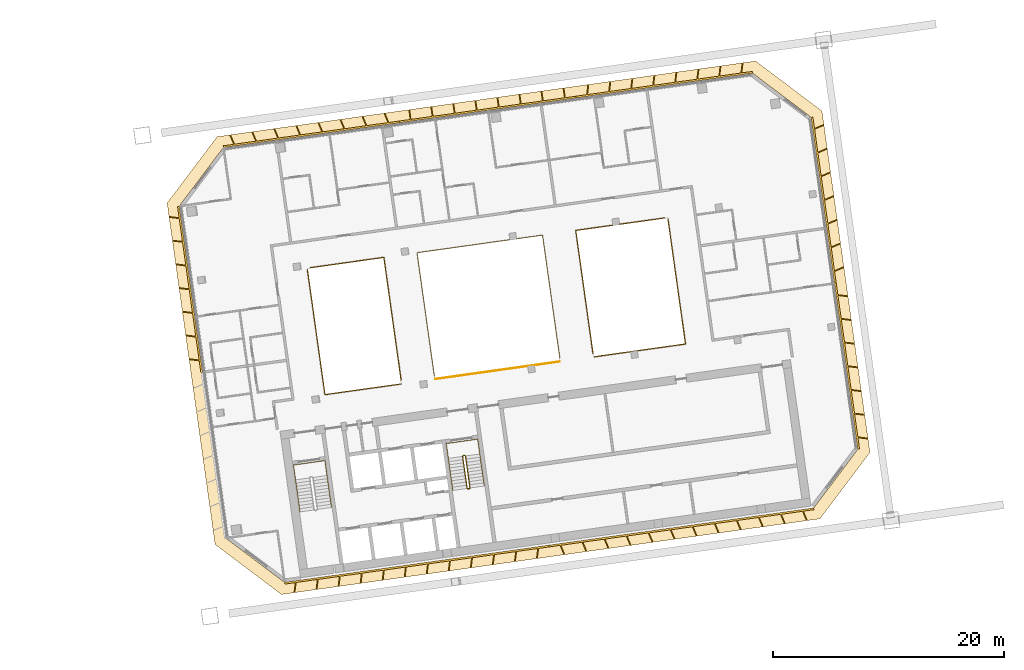
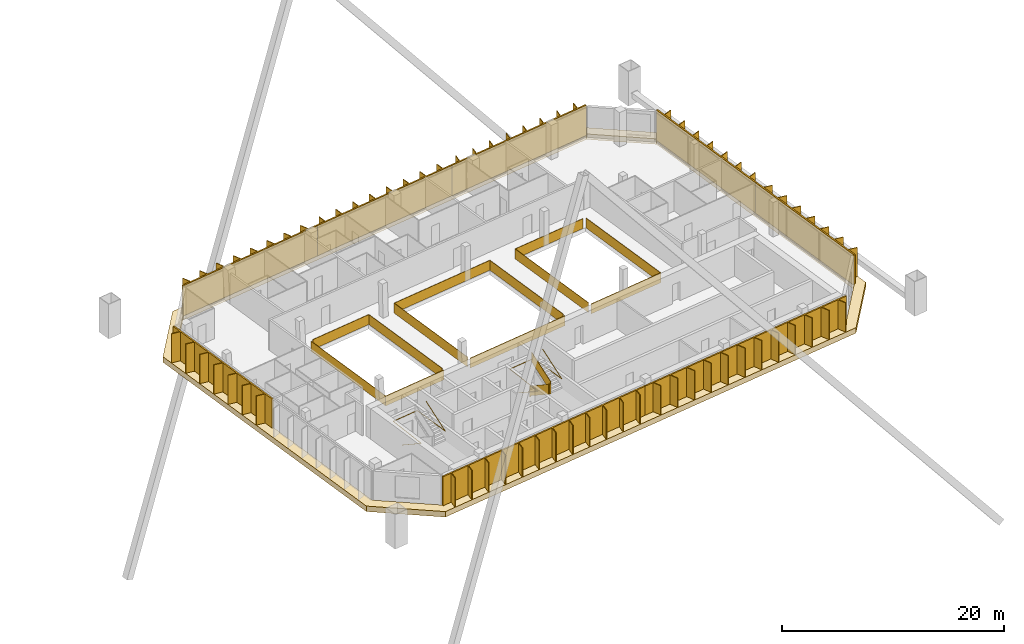
# One storey, part 38 of 38: 9 railings, 8 shading devices, 1 covering.
"""IFC4 building model written with IfcOpenShell, lengths in metres."""

from ifc_helpers import new_model, si_unit, direction, frame, origin, origin_2d, place, context, subcontext, project, spatial, polyline, rectangle, outline, extrude, material, layer, layer_set, type_object, element, save


model = new_model("IFC4")

# Units and contexts
model_context = context("Model", 3, precision=1e-05, world=origin(), true_north=direction((0.0, 1.0)))
body_context = subcontext(model_context, "Body", "Model", "MODEL_VIEW")
ifc_project = project(units=[si_unit("LENGTHUNIT", "METRE"), si_unit("AREAUNIT", "SQUARE_METRE"), si_unit("VOLUMEUNIT", "CUBIC_METRE"), si_unit("PLANEANGLEUNIT", "RADIAN"), si_unit("MASSUNIT", "GRAM", prefix="KILO")], contexts=[model_context])

# Site, building, storey
site_placement = place(None, origin())
site = spatial("IfcSite", under=ifc_project, at=site_placement, CompositionType="ELEMENT")
building_placement = place(site_placement, origin())
building = spatial("IfcBuilding", under=site, at=building_placement, Name="Mirante Cascada Hotel Towers", CompositionType="ELEMENT")
storey_placement = place(building_placement, frame((0.0, 0.0, 184.0)))
storey = spatial("IfcBuildingStorey", under=building, at=storey_placement, Name="L43", CompositionType="ELEMENT", Elevation=184.0)

# Railings
ifc_material_1 = material(Name="Toughened glass with stainless steel handrail", Category="steel")
railing_type_1 = type_object("IfcRailingType", Name="Atrium guard 1100 glass balustrade", PredefinedType="GUARDRAIL", material=ifc_material_1)
railing_1_placement = place(storey_placement, frame((37.864, 6.7125, 0.0)))
element("IfcRailing", 1, at=railing_1_placement, inside=storey, type_object=railing_type_1, Name="GUARD 2-L43-1", PredefinedType="GUARDRAIL", context=body_context, shape_type="SweptSolid", body=[
    extrude(rectangle(XDim=0.048, YDim=0.048, at=origin_2d()), frame((0.0, 0.0, 1.076), z_axis=(0.1391712, -0.9902683, 0.0), x_axis=(0.9902683, 0.1391712, 0.0)), (0.0, 0.0, 1.0), 10.9333),
    extrude(rectangle(XDim=0.02, YDim=1.052, at=origin_2d()), frame((0.0, 0.0, 0.526), z_axis=(0.1391712, -0.9902683, 0.0), x_axis=(0.9902683, 0.1391712, 0.0)), (0.0, 0.0, 1.0), 10.9333),
    extrude(rectangle(XDim=0.048, YDim=0.048, at=origin_2d()), frame((1.5216, -10.8269, 1.076), z_axis=(0.9902663, 0.1391859, 0.0), x_axis=(-0.1391859, 0.9902663, 0.0)), (0.0, 0.0, 1.0), 6.6458),
    extrude(rectangle(XDim=0.02, YDim=1.052, at=origin_2d()), frame((1.5216, -10.8269, 0.526), z_axis=(0.9902663, 0.1391859, 0.0), x_axis=(-0.1391859, 0.9902663, 0.0)), (0.0, 0.0, 1.0), 6.6458),
    extrude(rectangle(XDim=0.048, YDim=0.048, at=origin_2d()), frame((8.1027, -9.9019, 1.076), z_axis=(-0.7071068, -0.7071068, 0.0), x_axis=(0.7071068, -0.7071068, 0.0)), (0.0, 0.0, 1.0), 0.0001),
    extrude(rectangle(XDim=0.02, YDim=1.052, at=origin_2d()), frame((8.1027, -9.9019, 0.526), z_axis=(-0.7071068, -0.7071068, 0.0), x_axis=(0.7071068, -0.7071068, 0.0)), (0.0, 0.0, 1.0), 0.0001),
])
railing_2_placement = place(storey_placement, frame((48.9375, -2.7719, 0.0)))
element("IfcRailing", 2, at=railing_2_placement, inside=storey, type_object=railing_type_1, Name="GUARD 2-L43-2", PredefinedType="GUARDRAIL", context=body_context, shape_type="SweptSolid", body=[
    extrude(rectangle(XDim=0.048, YDim=0.048, at=origin_2d()), frame((0.0, 0.0, 1.076), z_axis=(0.9902688, 0.1391675, 0.0), x_axis=(-0.1391675, 0.9902688, 0.0)), (0.0, 0.0, 1.0), 10.866),
    extrude(rectangle(XDim=0.02, YDim=1.052, at=origin_2d()), frame((0.0, 0.0, 0.526), z_axis=(0.9902688, 0.1391675, 0.0), x_axis=(-0.1391675, 0.9902688, 0.0)), (0.0, 0.0, 1.0), 10.866),
])
railing_3_placement = place(storey_placement, frame((62.6686, -0.8421, 0.0)))
element("IfcRailing", 3, at=railing_3_placement, inside=storey, type_object=railing_type_1, Name="GUARD 2-L43-3", PredefinedType="GUARDRAIL", context=body_context, shape_type="SweptSolid", body=[
    extrude(rectangle(XDim=0.048, YDim=0.048, at=origin_2d()), frame((0.0, 0.0, 1.076), z_axis=(0.9902687, 0.1391689, 0.0), x_axis=(-0.1391689, 0.9902687, 0.0)), (0.0, 0.0, 1.0), 7.9881),
    extrude(rectangle(XDim=0.02, YDim=1.052, at=origin_2d()), frame((0.0, 0.0, 0.526), z_axis=(0.9902687, 0.1391689, 0.0), x_axis=(-0.1391689, 0.9902687, 0.0)), (0.0, 0.0, 1.0), 7.9881),
    extrude(rectangle(XDim=0.048, YDim=0.048, at=origin_2d()), frame((7.9104, 1.1117, 1.076), z_axis=(-0.1391712, 0.9902683, 0.0), x_axis=(-0.9902683, -0.1391712, 0.0)), (0.0, 0.0, 1.0), 10.9333),
    extrude(rectangle(XDim=0.02, YDim=1.052, at=origin_2d()), frame((7.9104, 1.1117, 0.526), z_axis=(-0.1391712, 0.9902683, 0.0), x_axis=(-0.9902683, -0.1391712, 0.0)), (0.0, 0.0, 1.0), 10.9333),
])
railing_4_placement = place(storey_placement, frame((45.9741, -2.8899, 0.0)))
element("IfcRailing", 4, at=railing_4_placement, inside=storey, type_object=railing_type_1, Name="GUARD 2-L43-4", PredefinedType="GUARDRAIL", context=body_context, shape_type="SweptSolid", body=[
    extrude(rectangle(XDim=0.048, YDim=0.048, at=origin_2d()), frame((0.0, 0.0, 1.076), z_axis=(-0.1391702, 0.9902685, 0.0), x_axis=(-0.9902685, -0.1391702, 0.0)), (0.0, 0.0, 1.0), 10.7545),
    extrude(rectangle(XDim=0.02, YDim=1.052, at=origin_2d()), frame((0.0, 0.0, 0.526), z_axis=(-0.1391702, 0.9902685, 0.0), x_axis=(-0.9902685, -0.1391702, 0.0)), (0.0, 0.0, 1.0), 10.7545),
    extrude(rectangle(XDim=0.048, YDim=0.048, at=origin_2d()), frame((-1.4967, 10.6498, 1.076), z_axis=(-0.9902679, -0.1391744, 0.0), x_axis=(0.1391744, -0.9902679, 0.0)), (0.0, 0.0, 1.0), 6.4186),
    extrude(rectangle(XDim=0.02, YDim=1.052, at=origin_2d()), frame((-1.4967, 10.6498, 0.526), z_axis=(-0.9902679, -0.1391744, 0.0), x_axis=(0.1391744, -0.9902679, 0.0)), (0.0, 0.0, 1.0), 6.4186),
])
railing_5_placement = place(storey_placement, frame((59.7052, -0.9601, 0.0)))
element("IfcRailing", 5, at=railing_5_placement, inside=storey, type_object=railing_type_1, Name="GUARD 2-L43-5", PredefinedType="GUARDRAIL", context=body_context, shape_type="SweptSolid", body=[
    extrude(rectangle(XDim=0.048, YDim=0.048, at=origin_2d()), frame((0.0, 0.0, 1.076), z_axis=(-0.1391702, 0.9902685, 0.0), x_axis=(-0.9902685, -0.1391702, 0.0)), (0.0, 0.0, 1.0), 10.7545),
    extrude(rectangle(XDim=0.02, YDim=1.052, at=origin_2d()), frame((0.0, 0.0, 0.526), z_axis=(-0.1391702, 0.9902685, 0.0), x_axis=(-0.9902685, -0.1391702, 0.0)), (0.0, 0.0, 1.0), 10.7545),
    extrude(rectangle(XDim=0.048, YDim=0.048, at=origin_2d()), frame((-1.4967, 10.6498, 1.076), z_axis=(-0.9902682, -0.1391724, 0.0), x_axis=(0.1391724, -0.9902682, 0.0)), (0.0, 0.0, 1.0), 10.9641),
    extrude(rectangle(XDim=0.02, YDim=1.052, at=origin_2d()), frame((-1.4967, 10.6498, 0.526), z_axis=(-0.9902682, -0.1391724, 0.0), x_axis=(0.1391724, -0.9902682, 0.0)), (0.0, 0.0, 1.0), 10.9641),
    extrude(rectangle(XDim=0.048, YDim=0.048, at=origin_2d()), frame((-12.3541, 9.1239, 1.076), z_axis=(0.1391702, -0.9902685, 0.0), x_axis=(0.9902685, 0.1391702, 0.0)), (0.0, 0.0, 1.0), 10.7545),
    extrude(rectangle(XDim=0.02, YDim=1.052, at=origin_2d()), frame((-12.3541, 9.1239, 0.526), z_axis=(0.1391702, -0.9902685, 0.0), x_axis=(0.9902685, 0.1391702, 0.0)), (0.0, 0.0, 1.0), 10.7545),
])
railing_6_placement = place(storey_placement, frame((68.7676, 11.1736, 0.0)))
element("IfcRailing", 6, at=railing_6_placement, inside=storey, type_object=railing_type_1, Name="GUARD 2-L43-6", PredefinedType="GUARDRAIL", context=body_context, shape_type="SweptSolid", body=[
    extrude(rectangle(XDim=0.048, YDim=0.048, at=origin_2d()), frame((0.0, 0.0, 1.076), z_axis=(-0.9902701, -0.1391589, 0.0), x_axis=(0.1391589, -0.9902701, 0.0)), (0.0, 0.0, 1.0), 7.7609),
    extrude(rectangle(XDim=0.02, YDim=1.052, at=origin_2d()), frame((0.0, 0.0, 0.526), z_axis=(-0.9902701, -0.1391589, 0.0), x_axis=(0.1391589, -0.9902701, 0.0)), (0.0, 0.0, 1.0), 7.7609),
    extrude(rectangle(XDim=0.048, YDim=0.048, at=origin_2d()), frame((-7.6854, -1.08, 1.076), z_axis=(0.1391702, -0.9902685, 0.0), x_axis=(0.9902685, 0.1391702, 0.0)), (0.0, 0.0, 1.0), 10.7545),
    extrude(rectangle(XDim=0.02, YDim=1.052, at=origin_2d()), frame((-7.6854, -1.08, 0.526), z_axis=(0.1391702, -0.9902685, 0.0), x_axis=(0.9902685, 0.1391702, 0.0)), (0.0, 0.0, 1.0), 10.7545),
])

# Covering
ifc_material_2 = material(Name="Precast concrete C40/50 white", Category="concrete")
ifc_layer = layer(ifc_material_2, 0.6)
ifc_layer_set = layer_set([ifc_layer], Name="Precast concrete SUNSHADE band 1000x600")
covering_type = type_object("IfcCoveringType", Name="Precast concrete SUNSHADE band 1000x600", PredefinedType="CLADDING", material=ifc_layer_set)
covering_placement = place(storey_placement, frame((0.0, 0.0, -0.45)))
element("IfcCovering", 7, at=covering_placement, inside=storey, type_object=covering_type, Name="Precast concrete SUNSHADE band T2 L43", PredefinedType="CLADDING", context=body_context, shape_type="SweptSolid", body=[
    extrude(outline(polyline([(25.7256, 12.4601), (30.0541, 18.2041), (76.645, 24.7521), (82.3891, 20.4236), (86.5404, -9.1145), (82.2119, -14.8586), (35.621, -21.4066), (29.8769, -17.0781), (25.7256, 12.4601)]), holes=[polyline([(85.4925, -8.8435), (81.4565, 19.8742), (76.374, 23.7042), (30.6034, 17.2715), (26.7735, 12.189), (30.8095, -16.5287), (35.892, -20.3587), (81.6626, -13.926), (85.4925, -8.8435)])]), origin(), (0.0, 0.0, 1.0), 0.6),
])

# Railings
ifc_material_3 = material(Name="Painted steel", Category="steel")
railing_type_2 = type_object("IfcRailingType", Name="Stair guard 1100 steel balustrade", PredefinedType="GUARDRAIL", material=ifc_material_3)
railing_7_placement = place(storey_placement, frame((51.4864, -9.3815, 0.0)))
element("IfcRailing", 8, at=railing_7_placement, inside=storey, type_object=railing_type_2, Name="L43 ST2-B stair guard 1", PredefinedType="GUARDRAIL", context=body_context, shape_type="SweptSolid", body=[
    extrude(rectangle(XDim=0.048, YDim=0.048, at=origin_2d()), frame((0.0, 0.0, 1.076), z_axis=(-0.9902408, -0.1393672, 0.0), x_axis=(0.1393672, -0.9902408, 0.0)), (0.0, 0.0, 1.0), 0.15),
    extrude(rectangle(XDim=0.02, YDim=1.052, at=origin_2d()), frame((0.0, 0.0, 0.526), z_axis=(-0.9902408, -0.1393672, 0.0), x_axis=(0.1393672, -0.9902408, 0.0)), (0.0, 0.0, 1.0), 0.15),
    extrude(rectangle(XDim=0.048, YDim=0.048, at=origin_2d()), frame((-0.1485, -0.0209, 1.076), z_axis=(-0.6020331, -0.7984711, 0.0), x_axis=(0.7984711, -0.6020331, 0.0)), (0.0, 0.9253398, 0.3791387), 0.1866),
    extrude(rectangle(XDim=0.02, YDim=1.052, at=origin_2d()), frame((-0.1485, -0.0209, 0.526), z_axis=(-0.6020331, -0.7984711, 0.0), x_axis=(0.7984711, -0.6020331, 0.0)), (0.0, 0.9253398, 0.3791387), 0.1866),
    extrude(rectangle(XDim=0.048, YDim=0.048, at=origin_2d()), frame((-0.1911, -0.0774, 1.2487), z_axis=(0.139181, -0.990267, 0.0), x_axis=(0.990267, 0.139181, 0.0)), (0.0, 0.5250347, 0.8510808), 3.2899),
    extrude(rectangle(XDim=0.02, YDim=1.052, at=origin_2d()), frame((-0.1911, -0.0774, 0.6987), z_axis=(0.139181, -0.990267, 0.0), x_axis=(0.990267, 0.139181, 0.0)), (0.0, 0.5250347, 0.8510808), 3.2899),
    extrude(rectangle(XDim=0.048, YDim=0.048, at=origin_2d()), frame((0.1986, -2.8501, 2.976), z_axis=(0.9944441, -0.1052656, 0.0), x_axis=(0.1052656, 0.9944441, 0.0)), (0.0, 0.0, 1.0), 0.2061),
    extrude(rectangle(XDim=0.02, YDim=1.052, at=origin_2d()), frame((0.1986, -2.8501, 2.426), z_axis=(0.9944441, -0.1052656, 0.0), x_axis=(0.1052656, 0.9944441, 0.0)), (0.0, 0.0, 1.0), 0.2061),
    extrude(rectangle(XDim=0.048, YDim=0.048, at=origin_2d()), frame((0.4036, -2.8718, 2.976), z_axis=(-0.9902408, -0.1393672, 0.0), x_axis=(0.1393672, -0.9902408, 0.0)), (0.0, 0.0, 1.0), 0.15),
    extrude(rectangle(XDim=0.02, YDim=1.052, at=origin_2d()), frame((0.4036, -2.8718, 2.426), z_axis=(-0.9902408, -0.1393672, 0.0), x_axis=(0.1393672, -0.9902408, 0.0)), (0.0, 0.0, 1.0), 0.15),
    extrude(rectangle(XDim=0.048, YDim=0.048, at=origin_2d()), frame((0.2551, -2.8927, 2.976), z_axis=(0.9268624, 0.3754011, 0.0), x_axis=(-0.3754011, 0.9268624, 0.0)), (0.0, 0.6421217, 0.7666028), 0.269),
    extrude(rectangle(XDim=0.02, YDim=1.052, at=origin_2d()), frame((0.2551, -2.8927, 2.426), z_axis=(0.9268624, 0.3754011, 0.0), x_axis=(-0.3754011, 0.9268624, 0.0)), (0.0, 0.6421217, 0.7666028), 0.269),
    extrude(rectangle(XDim=0.048, YDim=0.048, at=origin_2d()), frame((0.4462, -2.8153, 3.1487), z_axis=(-0.139181, 0.990267, 0.0), x_axis=(-0.990267, -0.139181, 0.0)), (0.0, 0.5250347, 0.8510808), 3.2899),
    extrude(rectangle(XDim=0.02, YDim=1.052, at=origin_2d()), frame((0.4462, -2.8153, 2.5987), z_axis=(-0.139181, 0.990267, 0.0), x_axis=(-0.990267, -0.139181, 0.0)), (0.0, 0.5250347, 0.8510808), 3.2899),
])
ifc_material_4 = material(Name="Painted steel", Category="steel")
railing_type_3 = type_object("IfcRailingType", Name="Stair handrail 900 steel tube", PredefinedType="HANDRAIL", material=ifc_material_4)
railing_8_placement = place(storey_placement, frame((36.8374, -11.4908, 0.1727)))
element("IfcRailing", 9, at=railing_8_placement, inside=storey, type_object=railing_type_3, Name="L43 ST2-A stair handrail 1", PredefinedType="HANDRAIL", context=body_context, shape_type="SweptSolid", body=[
    extrude(rectangle(XDim=0.048, YDim=0.048, at=origin_2d()), frame((0.0, 0.0, 0.876), z_axis=(0.139181, -0.990267, 0.0), x_axis=(0.990267, 0.139181, 0.0)), (0.0, 0.5250347, 0.8510808), 3.2899),
    extrude(rectangle(XDim=0.048, YDim=0.048, at=origin_2d()), frame((0.3897, -2.7727, 2.6033), z_axis=(-0.1391707, 0.9902684, 0.0), x_axis=(-0.9902684, -0.1391707, 0.0)), (0.0, 0.0420846, 0.999114), 4.1036),
    extrude(rectangle(XDim=0.048, YDim=0.048, at=origin_2d()), frame((-0.1809, 1.2874, 2.776), z_axis=(0.9902691, 0.1391657, 0.0), x_axis=(-0.1391657, 0.9902691, 0.0)), (0.0, 0.0, 1.0), 2.75),
    extrude(rectangle(XDim=0.048, YDim=0.048, at=origin_2d()), frame((2.5423, 1.6701, 2.776), z_axis=(0.1391707, -0.9902684, 0.0), x_axis=(0.9902684, 0.1391707, 0.0)), (0.0, 0.0, 1.0), 4.1),
    extrude(rectangle(XDim=0.048, YDim=0.048, at=origin_2d()), frame((3.1129, -2.39, 2.776), z_axis=(-0.139181, 0.990267, 0.0), x_axis=(-0.990267, -0.139181, 0.0)), (0.0, 0.5250347, 0.8510808), 3.2899),
])
railing_9_placement = place(storey_placement, frame((50.0575, -9.6328, 0.1727)))
element("IfcRailing", 10, at=railing_9_placement, inside=storey, type_object=railing_type_3, Name="L43 ST2-B stair handrail 1", PredefinedType="HANDRAIL", context=body_context, shape_type="SweptSolid", body=[
    extrude(rectangle(XDim=0.048, YDim=0.048, at=origin_2d()), frame((0.0, 0.0, 0.876), z_axis=(0.139176, -0.9902677, 0.0), x_axis=(0.9902677, 0.139176, 0.0)), (0.0, 0.5250212, 0.8510891), 3.29),
    extrude(rectangle(XDim=0.048, YDim=0.048, at=origin_2d()), frame((0.3897, -2.7728, 2.6033), z_axis=(-0.1391707, 0.9902684, 0.0), x_axis=(-0.9902684, -0.1391707, 0.0)), (0.0, 0.0420846, 0.999114), 4.1036),
    extrude(rectangle(XDim=0.048, YDim=0.048, at=origin_2d()), frame((-0.1809, 1.2873, 2.776), z_axis=(0.9902641, 0.1392013, 0.0), x_axis=(-0.1392013, 0.9902641, 0.0)), (0.0, 0.0, 1.0), 2.75),
    extrude(rectangle(XDim=0.048, YDim=0.048, at=origin_2d()), frame((2.5423, 1.6701, 2.776), z_axis=(0.1391707, -0.9902684, 0.0), x_axis=(0.9902684, 0.1391707, 0.0)), (0.0, 0.0, 1.0), 4.1),
    extrude(rectangle(XDim=0.048, YDim=0.048, at=origin_2d()), frame((3.1129, -2.39, 2.776), z_axis=(-0.139181, 0.990267, 0.0), x_axis=(-0.990267, -0.139181, 0.0)), (0.0, 0.5250347, 0.8510808), 3.2899),
])

# Shading devices
ifc_material_5 = material(Name="White precast concrete C50/60 fin", Category="concrete")
shading_device_type = type_object("IfcShadingDeviceType", Name="Vertical fin set 4500x900", PredefinedType="USERDEFINED", material=ifc_material_5)
shading_device_1_placement = place(storey_placement, origin())
element("IfcShadingDevice", 11, at=shading_device_1_placement, inside=storey, type_object=shading_device_type, Name="FIN T2 L43 front 1", ObjectType="FIN", PredefinedType="USERDEFINED", context=body_context, shape_type="SweptSolid", body=[
    extrude(outline(polyline([(62.2061, 22.6814), (62.1041, 21.8501), (63.9292, 22.1066), (64.0338, 22.9592), (64.1133, 22.9494), (64.0112, 22.1182), (65.8363, 22.3747), (65.941, 23.2272), (66.0204, 23.2175), (65.9183, 22.3862), (67.7434, 22.6427), (67.8481, 23.4952), (67.9275, 23.4855), (67.8254, 22.6542), (69.6505, 22.9107), (69.7552, 23.7633), (69.8346, 23.7535), (69.7325, 22.9222), (71.5576, 23.1787), (71.6623, 24.0313), (71.7417, 24.0215), (71.6396, 23.1903), (73.4647, 23.4468), (73.5694, 24.2993), (73.6488, 24.2896), (73.5467, 23.4583), (75.3718, 23.7148), (75.4765, 24.5673), (75.5559, 24.5576), (75.4538, 23.7263), (76.3531, 23.8527), (76.374, 23.7042), (61.1171, 21.56), (61.0963, 21.7085), (62.0221, 21.8386), (62.1267, 22.6912), (62.2061, 22.6814)])), origin(), (0.0, 0.0, 1.0), 3.35),
])
shading_device_2_placement = place(storey_placement, origin())
element("IfcShadingDevice", 12, at=shading_device_2_placement, inside=storey, type_object=shading_device_type, Name="FIN T2 L43 front 2", ObjectType="FIN", PredefinedType="USERDEFINED", context=body_context, shape_type="SweptSolid", body=[
    extrude(outline(polyline([(46.7143, 20.5456), (46.8326, 19.7039), (48.6604, 19.9608), (48.5421, 20.8025), (48.6214, 20.8136), (48.7397, 19.9719), (50.5676, 20.2288), (50.4493, 21.0705), (50.5285, 21.0816), (50.6468, 20.2399), (52.4747, 20.4968), (52.3564, 21.3385), (52.4356, 21.3497), (52.5539, 20.5079), (54.3818, 20.7648), (54.2635, 21.6066), (54.3427, 21.6177), (54.461, 20.776), (56.2889, 21.0329), (56.1706, 21.8746), (56.2498, 21.8857), (56.3681, 21.044), (58.196, 21.3009), (58.0777, 22.1426), (58.1569, 22.1537), (58.2752, 21.312), (60.1031, 21.5689), (59.9848, 22.4106), (60.064, 22.4218), (60.1823, 21.58), (61.0963, 21.7085), (61.1171, 21.56), (45.8603, 19.4157), (45.8394, 19.5643), (46.7533, 19.6927), (46.635, 20.5345), (46.7143, 20.5456)])), origin(), (0.0, 0.0, 1.0), 3.35),
])
shading_device_3_placement = place(storey_placement, origin())
element("IfcShadingDevice", 13, at=shading_device_3_placement, inside=storey, type_object=shading_device_type, Name="FIN T2 L43 front 3", ObjectType="FIN", PredefinedType="USERDEFINED", context=body_context, shape_type="SweptSolid", body=[
    extrude(outline(polyline([(31.2282, 18.3487), (31.5638, 17.558), (33.3889, 17.8145), (33.0617, 18.5854), (33.1353, 18.6167), (33.4709, 17.826), (35.296, 18.0825), (34.9688, 18.8534), (35.0424, 18.8847), (35.3781, 18.094), (37.2031, 18.3505), (36.8759, 19.1215), (36.9495, 19.1527), (37.2852, 18.3621), (39.1102, 18.6186), (38.783, 19.3895), (38.8566, 19.4208), (39.1923, 18.6301), (41.0174, 18.8866), (40.6901, 19.6575), (40.7638, 19.6888), (41.0994, 18.8981), (42.9245, 19.1546), (42.5972, 19.9256), (42.6709, 19.9568), (43.0065, 19.1661), (44.8316, 19.4226), (44.5043, 20.1936), (44.578, 20.2248), (44.9136, 19.4342), (45.8394, 19.5643), (45.8603, 19.4157), (30.6034, 17.2715), (30.5825, 17.4201), (31.4818, 17.5465), (31.1546, 18.3174), (31.2282, 18.3487)])), origin(), (0.0, 0.0, 1.0), 3.35),
])
shading_device_4_placement = place(storey_placement, origin())
element("IfcShadingDevice", 14, at=shading_device_4_placement, inside=storey, type_object=shading_device_type, Name="FIN T2 L43 inner 1", ObjectType="FIN", PredefinedType="USERDEFINED", context=body_context, shape_type="SweptSolid", body=[
    extrude(outline(polyline([(27.6599, -1.0087), (28.4912, -1.1108), (28.2144, 0.8584), (27.3619, 0.9631), (27.3716, 1.0425), (28.2029, 0.9405), (27.9261, 2.9097), (27.0736, 3.0144), (27.0833, 3.0938), (27.9146, 2.9917), (27.6379, 4.961), (26.7853, 5.0657), (26.7951, 5.1451), (27.6263, 5.043), (27.3496, 7.0123), (26.497, 7.1169), (26.5068, 7.1963), (27.338, 7.0943), (27.0613, 9.0635), (26.2087, 9.1682), (26.2185, 9.2476), (27.0498, 9.1455), (26.773, 11.1148), (25.9204, 11.2195), (25.9302, 11.2989), (26.7615, 11.1968), (26.625, 12.1682), (26.7735, 12.189), (28.7915, -2.1698), (28.643, -2.1907), (28.5027, -1.1928), (27.6502, -1.0881), (27.6599, -1.0087)])), origin(), (0.0, 0.0, 1.0), 3.35),
])
shading_device_5_placement = place(storey_placement, origin())
element("IfcShadingDevice", 15, at=shading_device_5_placement, inside=storey, type_object=shading_device_type, Name="FIN T2 L43 outer 1", ObjectType="FIN", PredefinedType="USERDEFINED", context=body_context, shape_type="SweptSolid", body=[
    extrude(outline(polyline([(86.3358, -7.9534), (85.5045, -7.8513), (85.641, -8.8227), (85.4925, -8.8435), (83.4745, 5.5153), (83.623, 5.5362), (83.7633, 4.5383), (84.6158, 4.4336), (84.6061, 4.3542), (83.7748, 4.4563), (84.0515, 2.4871), (84.9041, 2.3824), (84.8943, 2.303), (84.0631, 2.405), (84.3398, 0.4358), (85.1924, 0.3311), (85.1826, 0.2517), (84.3514, 0.3538), (84.6281, -1.6155), (85.4807, -1.7202), (85.4709, -1.7996), (84.6396, -1.6975), (84.9164, -3.6667), (85.769, -3.7714), (85.7592, -3.8508), (84.9279, -3.7488), (85.2047, -5.718), (86.0572, -5.8227), (86.0475, -5.9021), (85.2162, -5.8), (85.493, -7.7693), (86.3455, -7.874), (86.3358, -7.9534)])), origin(), (0.0, 0.0, 1.0), 3.35),
])
shading_device_6_placement = place(storey_placement, origin())
element("IfcShadingDevice", 16, at=shading_device_6_placement, inside=storey, type_object=shading_device_type, Name="FIN T2 L43 outer 2", ObjectType="FIN", PredefinedType="USERDEFINED", context=body_context, shape_type="SweptSolid", body=[
    extrude(outline(polyline([(84.2734, 6.8697), (83.4828, 6.5341), (83.623, 5.5362), (83.4745, 5.5153), (81.4565, 19.8742), (81.605, 19.8951), (81.7415, 18.9238), (82.5125, 19.251), (82.5437, 19.1774), (81.753, 18.8417), (82.0298, 16.8725), (82.8007, 17.1997), (82.832, 17.1261), (82.0413, 16.7905), (82.3181, 14.8212), (83.089, 15.1485), (83.1203, 15.0748), (82.3296, 14.7392), (82.6064, 12.7699), (83.3773, 13.0972), (83.4086, 13.0235), (82.6179, 12.6879), (82.8947, 10.7187), (83.6656, 11.0459), (83.6969, 10.9723), (82.9062, 10.6367), (83.183, 8.6674), (83.9539, 8.9946), (83.9852, 8.921), (83.1945, 8.5854), (83.4712, 6.6161), (84.2422, 6.9434), (84.2734, 6.8697)])), origin(), (0.0, 0.0, 1.0), 3.35),
])
shading_device_7_placement = place(storey_placement, origin())
element("IfcShadingDevice", 17, at=shading_device_7_placement, inside=storey, type_object=shading_device_type, Name="FIN T2 L43 rear 1", ObjectType="FIN", PredefinedType="USERDEFINED", context=body_context, shape_type="SweptSolid", body=[
    extrude(outline(polyline([(36.7101, -21.2121), (36.8122, -20.3808), (35.9129, -20.5072), (35.892, -20.3587), (58.7773, -17.1423), (58.7982, -17.2909), (57.8723, -17.421), (57.7677, -18.2735), (57.6883, -18.2638), (57.7903, -17.4325), (55.9652, -17.689), (55.8606, -18.5416), (55.7812, -18.5318), (55.8832, -17.7005), (54.0581, -17.957), (53.9534, -18.8096), (53.874, -18.7999), (53.9761, -17.9686), (52.151, -18.2251), (52.0463, -19.0776), (51.9669, -19.0679), (52.069, -18.2366), (50.2439, -18.4931), (50.1392, -19.3457), (50.0598, -19.3359), (50.1619, -18.5046), (48.3368, -18.7611), (48.2321, -19.6137), (48.1527, -19.6039), (48.2548, -18.7727), (46.4297, -19.0292), (46.325, -19.8817), (46.2456, -19.872), (46.3477, -19.0407), (44.5226, -19.2972), (44.4179, -20.1497), (44.3385, -20.14), (44.4406, -19.3087), (42.6155, -19.5652), (42.5108, -20.4178), (42.4314, -20.408), (42.5335, -19.5767), (40.7084, -19.8332), (40.6037, -20.6858), (40.5243, -20.676), (40.6264, -19.8448), (38.8013, -20.1013), (38.6966, -20.9538), (38.6172, -20.9441), (38.7193, -20.1128), (36.8942, -20.3693), (36.7895, -21.2218), (36.7101, -21.2121)])), origin(), (0.0, 0.0, 1.0), 3.35),
])
shading_device_8_placement = place(storey_placement, origin())
element("IfcShadingDevice", 18, at=shading_device_8_placement, inside=storey, type_object=shading_device_type, Name="FIN T2 L43 rear 2", ObjectType="FIN", PredefinedType="USERDEFINED", context=body_context, shape_type="SweptSolid", body=[
    extrude(outline(polyline([(60.0596, -17.9514), (59.724, -17.1608), (58.7982, -17.2909), (58.7773, -17.1423), (81.6626, -13.926), (81.6834, -14.0746), (80.7842, -14.201), (81.1114, -14.9719), (81.0378, -15.0031), (80.7021, -14.2125), (78.877, -14.469), (79.2043, -15.2399), (79.1307, -15.2712), (78.795, -14.4805), (76.9699, -14.737), (77.2972, -15.5079), (77.2235, -15.5392), (76.8879, -14.7485), (75.0628, -15.005), (75.3901, -15.776), (75.3164, -15.8072), (74.9808, -15.0166), (73.1557, -15.2731), (73.483, -16.044), (73.4093, -16.0753), (73.0737, -15.2846), (71.2486, -15.5411), (71.5759, -16.312), (71.5022, -16.3433), (71.1666, -15.5526), (69.3415, -15.8091), (69.6688, -16.58), (69.5951, -16.6113), (69.2595, -15.8206), (67.4344, -16.0771), (67.7617, -16.8481), (67.688, -16.8793), (67.3524, -16.0887), (65.5273, -16.3452), (65.8545, -17.1161), (65.7809, -17.1474), (65.4453, -16.3567), (63.6202, -16.6132), (63.9474, -17.3841), (63.8738, -17.4154), (63.5382, -16.6247), (61.7131, -16.8812), (62.0403, -17.6522), (61.9667, -17.6834), (61.6311, -16.8927), (59.806, -17.1492), (60.1332, -17.9202), (60.0596, -17.9514)])), origin(), (0.0, 0.0, 1.0), 3.35),
])

save(model, "model.ifc")
